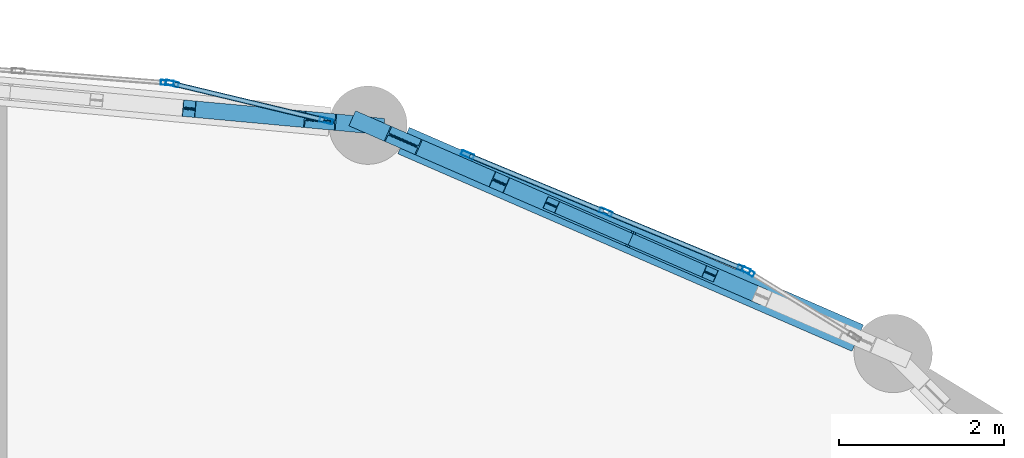
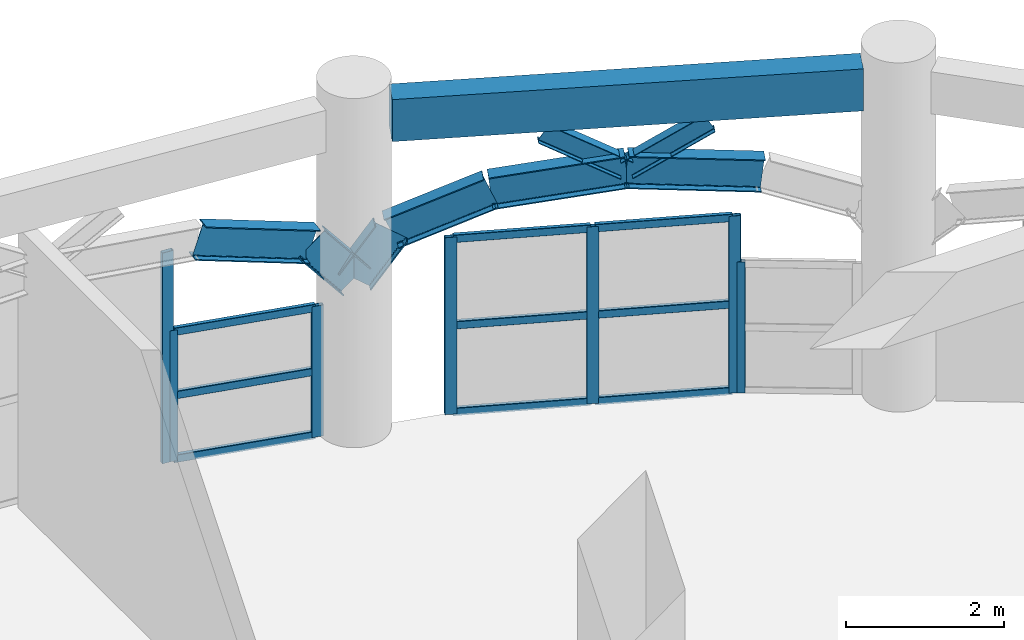
# One storey, part 78 of 114: 18 members, 7 beams, 4 elements without a shape of their own.
"""IFC4 building model written with IfcOpenShell, lengths in metres."""

import ifcopenshell
import ifcopenshell.guid

model = None  # the IFC model being written
_history = None  # IfcOwnerHistory: only IFC2X3 demands one
_inside = {}  # id of a spatial element -> (the spatial element, [elements in it])
_under = {}  # id of a project, library or spatial element -> (it, [spatial elements below it])
_declared = {}  # id of a project -> (the project, [libraries it declares])
_typed = {}  # id of a type object -> (the type object, [elements of that type])
_made_of = {}  # id of a material, layer set ... -> (it, [elements and type objects made of it])


def new_model(schema):
    """Start an empty IFC model of exactly this schema.

    Asked for "IFC4X3", IfcOpenShell would pick the latest addendum, in which some entities
    have other attributes; the version numbers below select the first issue.
    IFC2X3 requires an IfcOwnerHistory on every rooted entity: one is made here for all.
    """
    global model, _history
    if schema == "IFC4X3":
        model = ifcopenshell.file(schema_version=(4, 3, 0, 0))
    else:
        model = ifcopenshell.file(schema=schema)
    _inside.clear()
    _under.clear()
    _declared.clear()
    _typed.clear()
    _made_of.clear()
    _history = None
    if model.schema == "IFC2X3":
        org = make("IfcOrganization", Name="unknown")
        user = make(
            "IfcPersonAndOrganization",
            ThePerson=make("IfcPerson", FamilyName="unknown"),
            TheOrganization=org,
        )
        app = make(
            "IfcApplication",
            ApplicationDeveloper=org,
            Version="unknown",
            ApplicationFullName="unknown",
            ApplicationIdentifier="unknown",
        )
        _history = make(
            "IfcOwnerHistory",
            OwningUser=user,
            OwningApplication=app,
            ChangeAction="ADDED",
            CreationDate=0,
        )
    return model


def make(cls, **values):
    """One entity of the class cls with the attributes given. An attribute that is None is left unset."""
    return model.create_entity(
        cls, **{name: value for name, value in values.items() if value is not None}
    )


def rooted(cls, **values):
    """An entity with a GlobalId (a new one), such as an element, a storey or a relation."""
    return make(cls, GlobalId=ifcopenshell.guid.new(), OwnerHistory=_history, **values)


def si_unit(unit_type, name, prefix=None):
    """IfcSIUnit, for example si_unit("LENGTHUNIT", "METRE", prefix="MILLI")."""
    return make("IfcSIUnit", UnitType=unit_type, Prefix=prefix, Name=name)


def derived_unit(unit_type, elements):
    """IfcDerivedUnit: a product of units, each with its exponent."""
    return make(
        "IfcDerivedUnit",
        Elements=[
            make("IfcDerivedUnitElement", Unit=unit, Exponent=power)
            for unit, power in elements
        ],
        UnitType=unit_type,
    )


def assignment(units):
    """IfcUnitAssignment: the units of a project."""
    return None if units is None else make("IfcUnitAssignment", Units=units)


def point(xyz):
    """IfcCartesianPoint."""
    return None if xyz is None else make("IfcCartesianPoint", Coordinates=xyz)


def direction(xyz):
    """IfcDirection."""
    return None if xyz is None else make("IfcDirection", DirectionRatios=xyz)


def frame(location, z_axis=None, x_axis=None):
    """IfcAxis2Placement3D, a coordinate frame: its origin and axes. An axis left out is left unset."""
    return make(
        "IfcAxis2Placement3D",
        Location=point(location),
        Axis=direction(z_axis),
        RefDirection=direction(x_axis),
    )


def frame_2d(location, x_axis=None):
    """IfcAxis2Placement2D, a coordinate frame in the plane: its origin and x axis."""
    return make(
        "IfcAxis2Placement2D", Location=point(location), RefDirection=direction(x_axis)
    )


def origin():
    """The frame at (0, 0, 0) with its axes left unset."""
    return frame((0.0, 0.0, 0.0))


def origin_2d():
    """The frame at (0, 0) in the plane with its x axis left unset."""
    return frame_2d((0.0, 0.0))


def place(relative_to, where):
    """IfcLocalPlacement: puts the frame where relative to a parent placement (None: the world)."""
    return make(
        "IfcLocalPlacement", PlacementRelTo=relative_to, RelativePlacement=where
    )


def context(
    kind, dimensions, precision=None, world=None, true_north=None, identifier=None
):
    """IfcGeometricRepresentationContext, for example the 3D "Model" context."""
    return make(
        "IfcGeometricRepresentationContext",
        ContextIdentifier=identifier,
        ContextType=kind,
        CoordinateSpaceDimension=dimensions,
        Precision=precision,
        WorldCoordinateSystem=world,
        TrueNorth=true_north,
    )


def subcontext(parent, identifier, kind, view, scale=None):
    """IfcGeometricRepresentationSubContext, for example "Body" below "Model"."""
    return make(
        "IfcGeometricRepresentationSubContext",
        ContextIdentifier=identifier,
        ContextType=kind,
        ParentContext=parent,
        TargetScale=scale,
        TargetView=view,
    )


def project(units=None, contexts=None):
    """IfcProject with its units and contexts."""
    return rooted(
        "IfcProject",
        Name="project",
        RepresentationContexts=contexts,
        UnitsInContext=assignment(units),
    )


def spatial(cls, under=None, at=None, **own):
    """A site, building, storey or space (cls), placed at a placement, below another one or the project."""
    s = rooted(cls, ObjectPlacement=at, **own)
    if under is not None:
        _under.setdefault(under.id(), (under, []))[1].append(s)
    return s


def profile(cls, at=None, kind="AREA", **sizes):
    """A parametric profile (cls). Its sizes go by their IFC names, for example OverallWidth=200.0."""
    return make(cls, ProfileType=kind, Position=at, **sizes)


def rectangle(**sizes):
    """IfcRectangleProfileDef."""
    return profile("IfcRectangleProfileDef", **sizes)


def hollow_rectangle(**sizes):
    """IfcRectangleHollowProfileDef."""
    return profile("IfcRectangleHollowProfileDef", **sizes)


def i_section(**sizes):
    """IfcIShapeProfileDef."""
    return profile("IfcIShapeProfileDef", **sizes)


def extrude(swept, where, along, depth):
    """IfcExtrudedAreaSolid: the profile swept, set in the frame where, extruded along a direction by depth."""
    return make(
        "IfcExtrudedAreaSolid",
        SweptArea=swept,
        Position=where,
        ExtrudedDirection=direction(along),
        Depth=depth,
    )


def shape(context_of_items, identifier, shape_type, items):
    """IfcShapeRepresentation: the items that make up one representation, for example the "Body"."""
    return make(
        "IfcShapeRepresentation",
        ContextOfItems=context_of_items,
        RepresentationIdentifier=identifier,
        RepresentationType=shape_type,
        Items=items,
    )


def material(Name=None, Category=None):
    """IfcMaterial."""
    return make("IfcMaterial", Name=Name, Category=Category)


def layer(
    of_material, thickness, ventilated=None, Name=None, Category=None, Priority=None
):
    """IfcMaterialLayer: one layer of a wall or slab, of a material (None: an air gap)."""
    return make(
        "IfcMaterialLayer",
        Material=of_material,
        LayerThickness=thickness,
        IsVentilated=ventilated,
        Name=Name,
        Category=Category,
        Priority=Priority,
    )


def layer_set(layers, Name=None):
    """IfcMaterialLayerSet."""
    return make("IfcMaterialLayerSet", MaterialLayers=layers, LayerSetName=Name)


def material_profile(
    of_material, cross_section, Name=None, Category=None, Priority=None
):
    """IfcMaterialProfile: a cross section and its material."""
    return make(
        "IfcMaterialProfile",
        Name=Name,
        Material=of_material,
        Profile=cross_section,
        Priority=Priority,
        Category=Category,
    )


def profile_set(profiles, Name=None, composite=None):
    """IfcMaterialProfileSet."""
    return make(
        "IfcMaterialProfileSet",
        Name=Name,
        MaterialProfiles=profiles,
        CompositeProfile=composite,
    )


def made_of(thing, what):
    """Note that an element or type object is made of a material, layer set ...; save() writes the relation."""
    if what is not None:
        _made_of.setdefault(what.id(), (what, []))[1].append(thing)
    return thing


def type_object(cls, material=None, **own):
    """A type object (cls), such as IfcWallType, which elements share."""
    return made_of(rooted(cls, **own), material)


def element(
    cls,
    number,
    at=None,
    inside=None,
    cuts=None,
    type_object=None,
    material=None,
    context=None,
    identifier="Body",
    shape_type=None,
    held_by="IfcProductDefinitionShape",
    body=None,
    shapes=None,
    **own,
):
    """One element of the class cls, such as IfcWall. Its Tag is "e" and its number.

    at: its placement. inside: the storey or other place that contains it. cuts: it is an
    opening in that element (IfcRelVoidsElement). A single representation is given by context,
    identifier, shape_type and body (its items); several are given by shapes. held_by: the class
    of the entity that holds the representations. save() writes the other relations.
    """
    e = rooted(cls, Tag="e%d" % number, ObjectPlacement=at, **own)
    if body is not None:
        shapes = [shape(context, identifier, shape_type, body)]
    if shapes is not None:
        e.Representation = make(held_by, Representations=shapes)
    if inside is not None:
        _inside.setdefault(inside.id(), (inside, []))[1].append(e)
    if cuts is not None:
        rooted(
            "IfcRelVoidsElement", RelatingBuildingElement=cuts, RelatedOpeningElement=e
        )
    if type_object is not None:
        _typed.setdefault(type_object.id(), (type_object, []))[1].append(e)
    return made_of(e, material)


def aggregate(whole, parts):
    """IfcRelAggregates: a whole, such as a stair, and the parts it consists of."""
    return rooted("IfcRelAggregates", RelatingObject=whole, RelatedObjects=parts)


def save(model, path):
    """Write the relations noted so far, then the file.

    IfcRelAggregates (storeys below a building ...), IfcRelContainedInSpatialStructure (elements
    in a storey), IfcRelDefinesByType, IfcRelAssociatesMaterial and IfcRelDeclares: one each for
    every whole, place, type object, material and project.
    """
    for whole, parts in _under.values():
        aggregate(whole, parts)
    for where, things in _inside.values():
        rooted(
            "IfcRelContainedInSpatialStructure",
            RelatedElements=things,
            RelatingStructure=where,
        )
    for kind, things in _typed.values():
        rooted("IfcRelDefinesByType", RelatedObjects=things, RelatingType=kind)
    for what, things in _made_of.values():
        rooted("IfcRelAssociatesMaterial", RelatedObjects=things, RelatingMaterial=what)
    for by, libraries in _declared.values():
        rooted("IfcRelDeclares", RelatingContext=by, RelatedDefinitions=libraries)
    model.write(path)


model = new_model("IFC4")

# Units and contexts
model_context = context("Model", 3, precision=1e-05, world=origin(), true_north=direction((0.0, 1.0)))
body_context = subcontext(model_context, "Body", "Model", "MODEL_VIEW")
ifc_project = project(units=[si_unit("LENGTHUNIT", "METRE"), si_unit("AREAUNIT", "SQUARE_METRE"), si_unit("VOLUMEUNIT", "CUBIC_METRE"), si_unit("PLANEANGLEUNIT", "RADIAN"), si_unit("MASSUNIT", "GRAM", prefix="KILO"), derived_unit("THERMALTRANSMITTANCEUNIT", [(si_unit("MASSUNIT", "GRAM", prefix="KILO"), 1), (si_unit("TIMEUNIT", "SECOND"), -3), (si_unit("THERMODYNAMICTEMPERATUREUNIT", "KELVIN"), -1)])], contexts=[model_context])

# Site, building, storey
site_placement = place(None, origin())
site = spatial("IfcSite", under=ifc_project, at=site_placement, CompositionType="ELEMENT")
building_placement = place(site_placement, origin())
building = spatial("IfcBuilding", under=site, at=building_placement, Name="Qinzheling Arcade Emporium", CompositionType="ELEMENT")
storey_placement = place(building_placement, frame((0.0, 0.0, 6.0)))
storey = spatial("IfcBuildingStorey", under=building, at=storey_placement, Name="L02", CompositionType="ELEMENT", Elevation=6.0)

# Beams
ifc_material_1 = material(Name="Weathering steel Q355NH", Category="steel")
ifc_material_profile_1 = material_profile(ifc_material_1, i_section(OverallWidth=0.199951171875, OverallDepth=0.5, WebThickness=0.010009765625, FlangeThickness=0.01611328125, FilletRadius=0.01806640625, at=origin_2d()), Name="HN 500x200x10x16", Category="steel")
ifc_profile_set_1 = profile_set([ifc_material_profile_1], Name="Weathering steel Q355NH")
beam_type_1 = type_object("IfcBeamType", Name="Arcade End Arch Rib HN500 Q355NH", PredefinedType="BEAM", material=ifc_profile_set_1)
beam_1_placement = place(storey_placement, frame((135.260009765625, 111.720947265625, 3.52392578125), z_axis=(-0.911369042041, 0.396776063541, 0.109431369409), x_axis=(-0.399173357498, -0.916875471732, 0.0)))
element("IfcBeam", 1, at=beam_1_placement, inside=storey, type_object=beam_type_1, Name="Curved Arcade Entrance Arch ARC-L02-CV6-B04-C03", PredefinedType="BEAM", context=body_context, shape_type="SweptSolid", body=[
    extrude(i_section(OverallWidth=0.199951171875, OverallDepth=0.5, WebThickness=0.010009765625, FlangeThickness=0.01611328125, FilletRadius=0.01806640625, at=origin_2d()), origin(), (0.0, 0.0, 1.0), 1.746826171875),
])
beam_2_placement = place(storey_placement, frame((133.66796875, 112.4140625, 3.715087890625), z_axis=(-0.91171601646, 0.395985163318, -0.109405921975), x_axis=(-0.398376556017, -0.917221957661, 0.0)))
element("IfcBeam", 2, at=beam_2_placement, inside=storey, type_object=beam_type_1, Name="Curved Arcade Entrance Arch ARC-L02-CV6-B04-C04", PredefinedType="BEAM", context=body_context, shape_type="SweptSolid", body=[
    extrude(i_section(OverallWidth=0.199951171875, OverallDepth=0.5, WebThickness=0.010009765625, FlangeThickness=0.01611328125, FilletRadius=0.01806640625, at=origin_2d()), origin(), (0.0, 0.0, 1.0), 1.747314453125),
])
beam_3_placement = place(storey_placement, frame((132.074951171875, 113.10595703125, 3.52392578125), z_axis=(-0.848336043224, 0.368926708915, -0.379761821694), x_axis=(-0.398803341091, -0.917036474266, 0.0)))
element("IfcBeam", 3, at=beam_3_placement, inside=storey, type_object=beam_type_1, Name="Curved Arcade Entrance Arch ARC-L02-CV6-B04-C05", PredefinedType="BEAM", context=body_context, shape_type="SweptSolid", body=[
    extrude(i_section(OverallWidth=0.199951171875, OverallDepth=0.5, WebThickness=0.010009765625, FlangeThickness=0.01611328125, FilletRadius=0.01806640625, at=origin_2d()), origin(), (0.0, 0.0, 1.0), 1.37451171875),
])
beam_4_placement = place(storey_placement, frame((130.908935546875, 113.613037109375, 3.001953125), z_axis=(-0.501917292807, 0.218674086403, -0.836815795212), x_axis=(-0.399416000282, -0.916769795924, 0.0)))
element("IfcBeam", 4, at=beam_4_placement, inside=storey, type_object=beam_type_1, Name="Curved Arcade Entrance Arch ARC-L02-CV6-B04-C06", PredefinedType="BEAM", context=body_context, shape_type="SweptSolid", body=[
    extrude(i_section(OverallWidth=0.199951171875, OverallDepth=0.5, WebThickness=0.010009765625, FlangeThickness=0.01611328125, FilletRadius=0.01806640625, at=origin_2d()), origin(), (0.0, 0.0, 1.0), 0.850830078125),
])
beam_5_placement = place(storey_placement, frame((130.48193359375, 113.799072265625, 2.2900390625), z_axis=(-0.631861843983, 0.058574441074, 0.772864570912), x_axis=(-0.092305574951, -0.995730727071, 0.0)))
element("IfcBeam", 5, at=beam_5_placement, inside=storey, type_object=beam_type_1, Name="Curved Arcade Entrance Arch ARC-L02-CV6-B05-C01", PredefinedType="BEAM", context=body_context, shape_type="SweptSolid", body=[
    extrude(i_section(OverallWidth=0.199951171875, OverallDepth=0.5, WebThickness=0.010009765625, FlangeThickness=0.01611328125, FilletRadius=0.01806640625, at=origin_2d()), origin(), (0.0, 0.0, 1.0), 0.921142578125),
])
beam_6_placement = place(storey_placement, frame((129.89990234375, 113.85302734375, 3.001953125), z_axis=(-0.946447122188, 0.086966100041, 0.310925621887), x_axis=(-0.091501437712, -0.995804944202, 0.0)))
element("IfcBeam", 6, at=beam_6_placement, inside=storey, type_object=beam_type_1, Name="Curved Arcade Entrance Arch ARC-L02-CV6-B05-C02", PredefinedType="BEAM", context=body_context, shape_type="SweptSolid", body=[
    extrude(i_section(OverallWidth=0.199951171875, OverallDepth=0.5, WebThickness=0.010009765625, FlangeThickness=0.01611328125, FilletRadius=0.01806640625, at=origin_2d()), origin(), (0.0, 0.0, 1.0), 1.6787109375),
])

# Members
ifc_material_profile_2 = material_profile(ifc_material_1, i_section(OverallWidth=0.14990234375, OverallDepth=0.300048828125, WebThickness=0.006591796875, FlangeThickness=0.009033203125, FilletRadius=0.012939453125, at=origin_2d()), Name="HN 300x150x6.5x9", Category="steel")
ifc_profile_set_2 = profile_set([ifc_material_profile_2], Name="Weathering steel Q355NH")
member_type_1 = type_object("IfcMemberType", Name="Arcade Spandrel Web Chord HN300 Q355NH", PredefinedType="CHORD", material=ifc_profile_set_2)
member_1_placement = place(storey_placement, frame((133.66796875, 112.4140625, 3.72509765625), z_axis=(0.782728124024, -0.340903924067, 0.520692998241), x_axis=(0.399304625038, 0.916818311566, 0.0)))
element("IfcMember", 7, at=member_1_placement, inside=storey, type_object=member_type_1, Name="Arcade Spandrel Web Chord ASW-L02-CV6-B04-W1", PredefinedType="CHORD", context=body_context, shape_type="SweptSolid", body=[
    extrude(i_section(OverallWidth=0.14990234375, OverallDepth=0.300048828125, WebThickness=0.006591796875, FlangeThickness=0.009033203125, FilletRadius=0.012939453125, at=origin_2d()), origin(), (0.0, 0.0, 1.0), 1.22900390625),
])
member_2_placement = place(storey_placement, frame((133.66796875, 112.4140625, 3.72509765625), z_axis=(-0.783035633314, 0.340691974332, 0.520369268488), x_axis=(-0.398964139001, -0.916966529265, 0.0)))
element("IfcMember", 8, at=member_2_placement, inside=storey, type_object=member_type_1, Name="Arcade Spandrel Web Chord ASW-L02-CV6-B04-W2", PredefinedType="CHORD", context=body_context, shape_type="SweptSolid", body=[
    extrude(i_section(OverallWidth=0.14990234375, OverallDepth=0.300048828125, WebThickness=0.006591796875, FlangeThickness=0.009033203125, FilletRadius=0.012939453125, at=origin_2d()), origin(), (0.0, 0.0, 1.0), 1.229736328125),
])

# Curtain wall, member
ifc_material_2 = material(Name="Anodised aluminium and solar-control double glazing", Category="aluminium")
ifc_layer = layer(ifc_material_2, 0.159912109375, Name="Anodised aluminium and solar-control double glazing", Category="aluminium")
ifc_layer_set = layer_set([ifc_layer], Name="Anodised aluminium and solar-control double glazing")
curtain_wall_type = type_object("IfcCurtainWallType", Name="Curved Ribbon Sales Curtain Wall", PredefinedType="NOTDEFINED", material=ifc_layer_set)
curtain_wall_1_placement = place(storey_placement, origin())
curtain_wall_1 = element("IfcCurtainWall", 9, at=curtain_wall_1_placement, inside=storey, type_object=curtain_wall_type, Name="Curtain Wall CW-L02-103", PredefinedType="NOTDEFINED")
ifc_material_3 = material(Name="Anodised aluminium 6063-T6", Category="aluminium")
ifc_material_profile_3 = material_profile(ifc_material_3, hollow_rectangle(XDim=0.06005859375, YDim=0.159912109375, WallThickness=0.00390625, InnerFilletRadius=0.00390625, OuterFilletRadius=0.008056640625, at=origin_2d()), Name="RHS 160x60x4", Category="aluminium")
ifc_profile_set_3 = profile_set([ifc_material_profile_3], Name="Anodised aluminium 6063-T6")
member_type_2 = type_object("IfcMemberType", Name="Curtain Wall Mullion RHS160x60", PredefinedType="MULLION", material=ifc_profile_set_3)
member_3_placement = place(storey_placement, frame((128.046142578125, 114.313232421875, 0.0), z_axis=(0.0, 0.0, 1.0), x_axis=(0.078376222365, 0.996923852542, 0.0)))
member_3 = element("IfcMember", 10, at=member_3_placement, type_object=member_type_2, Name="CW02 mullion 3", PredefinedType="MULLION", context=body_context, shape_type="SweptSolid", body=[
    extrude(hollow_rectangle(XDim=0.06005859375, YDim=0.159912109375, WallThickness=0.00390625, InnerFilletRadius=0.00390625, OuterFilletRadius=0.008056640625, at=origin_2d()), origin(), (0.0, 0.0, 1.0), 3.259033203125),
])
aggregate(curtain_wall_1, [member_3])

# Curtain wall, members
curtain_wall_2_placement = place(storey_placement, origin())
curtain_wall_2 = element("IfcCurtainWall", 11, at=curtain_wall_2_placement, inside=storey, type_object=curtain_wall_type, Name="Curtain Wall CW-L02-104", PredefinedType="NOTDEFINED")
member_4_placement = place(storey_placement, frame((128.105224609375, 114.303955078125, 0.0), z_axis=(0.0, 0.0, 1.0), x_axis=(0.233621036939, 0.972327728237, 0.0)))
member_4 = element("IfcMember", 12, at=member_4_placement, type_object=member_type_2, Name="CW02 mullion 1", PredefinedType="MULLION", context=body_context, shape_type="SweptSolid", body=[
    extrude(hollow_rectangle(XDim=0.06005859375, YDim=0.159912109375, WallThickness=0.00390625, InnerFilletRadius=0.00390625, OuterFilletRadius=0.008056640625, at=origin_2d()), origin(), (0.0, 0.0, 1.0), 2.02490234375),
])
member_5_placement = place(storey_placement, frame((129.973876953125, 113.85498046875, 0.0), z_axis=(0.0, 0.0, 1.0), x_axis=(0.233621036939, 0.972327728237, 0.0)))
member_5 = element("IfcMember", 13, at=member_5_placement, type_object=member_type_2, Name="CW02 mullion 2", PredefinedType="MULLION", context=body_context, shape_type="SweptSolid", body=[
    extrude(hollow_rectangle(XDim=0.06005859375, YDim=0.159912109375, WallThickness=0.00390625, InnerFilletRadius=0.00390625, OuterFilletRadius=0.008056640625, at=origin_2d()), origin(), (0.0, 0.0, 1.0), 2.02490234375),
])

curtain_wall_3_placement = place(storey_placement, origin())
curtain_wall_3 = element("IfcCurtainWall", 14, at=curtain_wall_3_placement, inside=storey, type_object=curtain_wall_type, Name="Curtain Wall CW-L02-105", PredefinedType="NOTDEFINED")
member_6_placement = place(storey_placement, frame((131.689697265625, 113.4384765625, 0.0), z_axis=(0.0, 0.0, 1.0), x_axis=(0.382631211784, 0.923901161255, 0.0)))
member_6 = element("IfcMember", 15, at=member_6_placement, type_object=member_type_2, Name="CW02 mullion 1", PredefinedType="MULLION", context=body_context, shape_type="SweptSolid", body=[
    extrude(hollow_rectangle(XDim=0.06005859375, YDim=0.159912109375, WallThickness=0.00390625, InnerFilletRadius=0.00390625, OuterFilletRadius=0.008056640625, at=origin_2d()), origin(), (0.0, 0.0, 1.0), 2.737060546875),
])
member_7_placement = place(storey_placement, frame((133.365478515625, 112.744384765625, 0.0), z_axis=(0.0, 0.0, 1.0), x_axis=(0.382631211784, 0.923901161255, 0.0)))
member_7 = element("IfcMember", 16, at=member_7_placement, type_object=member_type_2, Name="CW02 mullion 2", PredefinedType="MULLION", context=body_context, shape_type="SweptSolid", body=[
    extrude(hollow_rectangle(XDim=0.06005859375, YDim=0.159912109375, WallThickness=0.00390625, InnerFilletRadius=0.00390625, OuterFilletRadius=0.008056640625, at=origin_2d()), origin(), (0.0, 0.0, 1.0), 2.737060546875),
])
member_8_placement = place(storey_placement, frame((135.041259765625, 112.050537109375, 0.0), z_axis=(0.0, 0.0, 1.0), x_axis=(0.382631211784, 0.923901161255, 0.0)))
member_8 = element("IfcMember", 17, at=member_8_placement, type_object=member_type_2, Name="CW02 mullion 3", PredefinedType="MULLION", context=body_context, shape_type="SweptSolid", body=[
    extrude(hollow_rectangle(XDim=0.06005859375, YDim=0.159912109375, WallThickness=0.00390625, InnerFilletRadius=0.00390625, OuterFilletRadius=0.008056640625, at=origin_2d()), origin(), (0.0, 0.0, 1.0), 2.737060546875),
])

# Curtain wall, member
curtain_wall_4_placement = place(storey_placement, origin())
curtain_wall_4 = element("IfcCurtainWall", 18, at=curtain_wall_4_placement, inside=storey, type_object=curtain_wall_type, Name="Curtain Wall CW-L02-106", PredefinedType="NOTDEFINED")
member_9_placement = place(storey_placement, frame((135.094482421875, 112.0234375, 0.0), z_axis=(0.0, 0.0, 1.0), x_axis=(0.522427757689, 0.852683550912, 0.0)))
member_9 = element("IfcMember", 19, at=member_9_placement, type_object=member_type_2, Name="CW02 mullion 1", PredefinedType="MULLION", context=body_context, shape_type="SweptSolid", body=[
    extrude(hollow_rectangle(XDim=0.06005859375, YDim=0.159912109375, WallThickness=0.00390625, InnerFilletRadius=0.00390625, OuterFilletRadius=0.008056640625, at=origin_2d()), origin(), (0.0, 0.0, 1.0), 2.02490234375),
])
aggregate(curtain_wall_4, [member_9])

# Member
ifc_material_profile_4 = material_profile(ifc_material_3, hollow_rectangle(XDim=0.06005859375, YDim=0.1201171875, WallThickness=0.00390625, InnerFilletRadius=0.00390625, OuterFilletRadius=0.008056640625, at=origin_2d()), Name="RHS 120x60x4", Category="aluminium")
ifc_profile_set_4 = profile_set([ifc_material_profile_4], Name="Anodised aluminium 6063-T6")
member_type_3 = type_object("IfcMemberType", Name="Curtain Wall Transom RHS120x60", PredefinedType="USERDEFINED", material=ifc_profile_set_4)
member_10_placement = place(storey_placement, frame((128.13427734375, 114.296875, 0.030029296875), z_axis=(0.972345625712, -0.233546535319, 0.0), x_axis=(0.233546535319, 0.972345625712, 0.0)))
member_10 = element("IfcMember", 20, at=member_10_placement, type_object=member_type_3, Name="CW02 transom 1.1", ObjectType="TRANSOM", PredefinedType="USERDEFINED", context=body_context, shape_type="SweptSolid", body=[
    extrude(hollow_rectangle(XDim=0.06005859375, YDim=0.1201171875, WallThickness=0.00390625, InnerFilletRadius=0.00390625, OuterFilletRadius=0.008056640625, at=origin_2d()), origin(), (0.0, 0.0, 1.0), 1.86181640625),
])

member_11_placement = place(storey_placement, frame((128.13427734375, 114.296875, 1.012939453125), z_axis=(0.972345625712, -0.233546535319, 0.0), x_axis=(0.233546535319, 0.972345625712, 0.0)))
member_11 = element("IfcMember", 21, at=member_11_placement, type_object=member_type_3, Name="CW02 transom 1.2", ObjectType="TRANSOM", PredefinedType="USERDEFINED", context=body_context, shape_type="SweptSolid", body=[
    extrude(hollow_rectangle(XDim=0.06005859375, YDim=0.1201171875, WallThickness=0.00390625, InnerFilletRadius=0.00390625, OuterFilletRadius=0.008056640625, at=origin_2d()), origin(), (0.0, 0.0, 1.0), 1.86181640625),
])

member_12_placement = place(storey_placement, frame((128.13427734375, 114.296875, 1.9951171875), z_axis=(0.972345625712, -0.233546535319, 0.0), x_axis=(0.233546535319, 0.972345625712, 0.0)))
member_12 = element("IfcMember", 22, at=member_12_placement, type_object=member_type_3, Name="CW02 transom 1.3", ObjectType="TRANSOM", PredefinedType="USERDEFINED", context=body_context, shape_type="SweptSolid", body=[
    extrude(hollow_rectangle(XDim=0.06005859375, YDim=0.1201171875, WallThickness=0.00390625, InnerFilletRadius=0.00390625, OuterFilletRadius=0.008056640625, at=origin_2d()), origin(), (0.0, 0.0, 1.0), 1.86181640625),
])

aggregate(curtain_wall_2, [member_4, member_5, member_10, member_11, member_12])

member_13_placement = place(storey_placement, frame((131.717529296875, 113.427001953125, 0.030029296875), z_axis=(0.923886196809, -0.38266734293, 0.0), x_axis=(0.38266734293, 0.923886196809, 0.0)))
member_13 = element("IfcMember", 23, at=member_13_placement, type_object=member_type_3, Name="CW02 transom 1.1", ObjectType="TRANSOM", PredefinedType="USERDEFINED", context=body_context, shape_type="SweptSolid", body=[
    extrude(hollow_rectangle(XDim=0.06005859375, YDim=0.1201171875, WallThickness=0.00390625, InnerFilletRadius=0.00390625, OuterFilletRadius=0.008056640625, at=origin_2d()), origin(), (0.0, 0.0, 1.0), 1.75390625),
])

member_14_placement = place(storey_placement, frame((131.717529296875, 113.427001953125, 1.368896484375), z_axis=(0.923886196809, -0.38266734293, 0.0), x_axis=(0.38266734293, 0.923886196809, 0.0)))
member_14 = element("IfcMember", 24, at=member_14_placement, type_object=member_type_3, Name="CW02 transom 1.2", ObjectType="TRANSOM", PredefinedType="USERDEFINED", context=body_context, shape_type="SweptSolid", body=[
    extrude(hollow_rectangle(XDim=0.06005859375, YDim=0.1201171875, WallThickness=0.00390625, InnerFilletRadius=0.00390625, OuterFilletRadius=0.008056640625, at=origin_2d()), origin(), (0.0, 0.0, 1.0), 1.75390625),
])

member_15_placement = place(storey_placement, frame((131.717529296875, 113.427001953125, 2.70703125), z_axis=(0.923886196809, -0.38266734293, 0.0), x_axis=(0.38266734293, 0.923886196809, 0.0)))
member_15 = element("IfcMember", 25, at=member_15_placement, type_object=member_type_3, Name="CW02 transom 1.3", ObjectType="TRANSOM", PredefinedType="USERDEFINED", context=body_context, shape_type="SweptSolid", body=[
    extrude(hollow_rectangle(XDim=0.06005859375, YDim=0.1201171875, WallThickness=0.00390625, InnerFilletRadius=0.00390625, OuterFilletRadius=0.008056640625, at=origin_2d()), origin(), (0.0, 0.0, 1.0), 1.75390625),
])

member_16_placement = place(storey_placement, frame((133.393310546875, 112.73291015625, 0.030029296875), z_axis=(0.923935405549, -0.382548515059, 0.0), x_axis=(0.382548515059, 0.923935405549, 0.0)))
member_16 = element("IfcMember", 26, at=member_16_placement, type_object=member_type_3, Name="CW02 transom 2.1", ObjectType="TRANSOM", PredefinedType="USERDEFINED", context=body_context, shape_type="SweptSolid", body=[
    extrude(hollow_rectangle(XDim=0.06005859375, YDim=0.1201171875, WallThickness=0.00390625, InnerFilletRadius=0.00390625, OuterFilletRadius=0.008056640625, at=origin_2d()), origin(), (0.0, 0.0, 1.0), 1.753662109375),
])

member_17_placement = place(storey_placement, frame((133.393310546875, 112.73291015625, 1.368896484375), z_axis=(0.923935405549, -0.382548515059, 0.0), x_axis=(0.382548515059, 0.923935405549, 0.0)))
member_17 = element("IfcMember", 27, at=member_17_placement, type_object=member_type_3, Name="CW02 transom 2.2", ObjectType="TRANSOM", PredefinedType="USERDEFINED", context=body_context, shape_type="SweptSolid", body=[
    extrude(hollow_rectangle(XDim=0.06005859375, YDim=0.1201171875, WallThickness=0.00390625, InnerFilletRadius=0.00390625, OuterFilletRadius=0.008056640625, at=origin_2d()), origin(), (0.0, 0.0, 1.0), 1.753662109375),
])

member_18_placement = place(storey_placement, frame((133.393310546875, 112.73291015625, 2.70703125), z_axis=(0.923935405549, -0.382548515059, 0.0), x_axis=(0.382548515059, 0.923935405549, 0.0)))
member_18 = element("IfcMember", 28, at=member_18_placement, type_object=member_type_3, Name="CW02 transom 2.3", ObjectType="TRANSOM", PredefinedType="USERDEFINED", context=body_context, shape_type="SweptSolid", body=[
    extrude(hollow_rectangle(XDim=0.06005859375, YDim=0.1201171875, WallThickness=0.00390625, InnerFilletRadius=0.00390625, OuterFilletRadius=0.008056640625, at=origin_2d()), origin(), (0.0, 0.0, 1.0), 1.753662109375),
])

aggregate(curtain_wall_3, [member_6, member_7, member_8, member_13, member_14, member_15, member_16, member_17, member_18])

# Beam
ifc_material_4 = material(Name="Concrete C40", Category="concrete")
ifc_material_profile_5 = material_profile(ifc_material_4, rectangle(XDim=0.35009765625, YDim=0.64990234375, at=origin_2d()), Name="RC 350x650", Category="concrete")
ifc_profile_set_5 = profile_set([ifc_material_profile_5], Name="Concrete C40")
beam_type_2 = type_object("IfcBeamType", Name="RC Spandrel Edge Beam 350x650 C40", PredefinedType="SPANDREL", material=ifc_profile_set_5)
beam_7_placement = place(storey_placement, frame((136.422119140625, 111.216064453125, 4.81005859375), z_axis=(-0.917023531374, 0.398833101569, 0.0), x_axis=(-0.398833101569, -0.917023531374, 0.0)))
element("IfcBeam", 29, at=beam_7_placement, inside=storey, type_object=beam_type_2, Name="Curved Arcade Spandrel BM-L02-CV6-B04", PredefinedType="SPANDREL", context=body_context, shape_type="SweptSolid", body=[
    extrude(rectangle(XDim=0.35009765625, YDim=0.64990234375, at=origin_2d()), origin(), (0.0, 0.0, 1.0), 6.007568359375),
])

save(model, "model.ifc")
